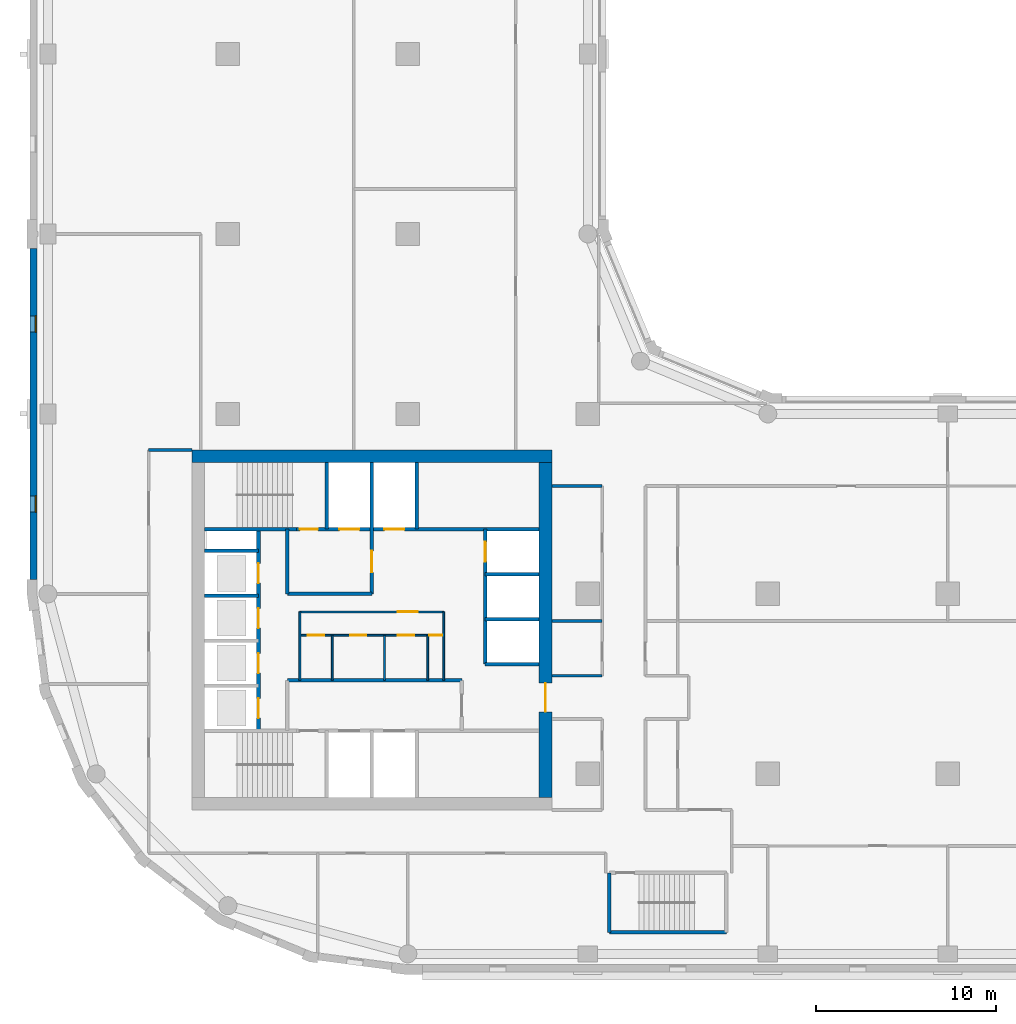
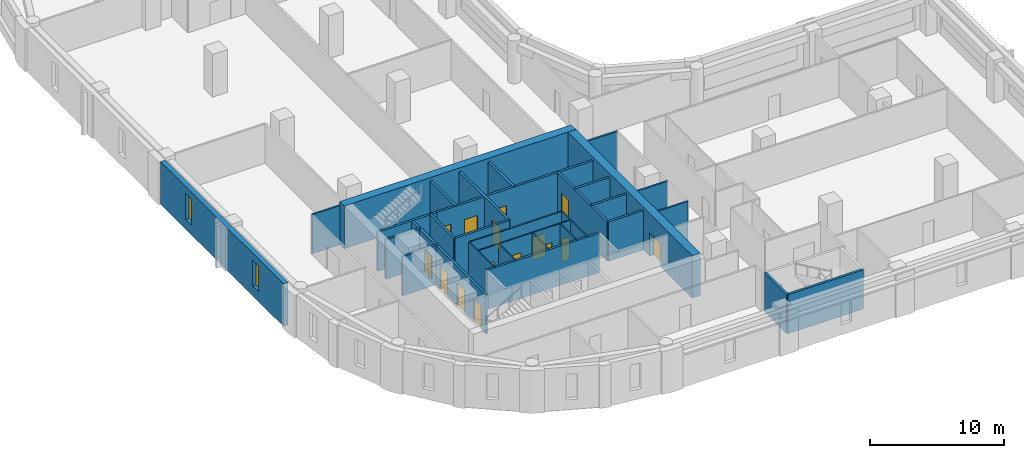
# One storey, part 3 of 9: 31 walls, 15 doors, 2 windows, 17 openings.
"""IFC4 building model written with IfcOpenShell, lengths in metres."""

from ifc_helpers import new_model, si_unit, direction, frame, frame_2d, origin, place, context, subcontext, project, spatial, rectangle, extrude, material, layer, layer_set, type_object, element, fill, save


model = new_model("IFC4")

# Units and contexts
model_context = context("Model", 3, precision=1e-05, world=origin(), true_north=direction((0.0, 1.0)))
body_context = subcontext(model_context, "Body", "Model", "MODEL_VIEW")
ifc_project = project(units=[si_unit("LENGTHUNIT", "METRE"), si_unit("AREAUNIT", "SQUARE_METRE"), si_unit("VOLUMEUNIT", "CUBIC_METRE"), si_unit("PLANEANGLEUNIT", "RADIAN"), si_unit("MASSUNIT", "GRAM", prefix="KILO")], contexts=[model_context])

# Site, building, storey
site_placement = place(None, origin())
site = spatial("IfcSite", under=ifc_project, at=site_placement, CompositionType="ELEMENT")
building_placement = place(site_placement, origin())
building = spatial("IfcBuilding", under=site, at=building_placement, Name="Qaws Garden Tower", CompositionType="ELEMENT")
storey_placement = place(building_placement, frame((0.0, 0.0, 174.60009765625)))
storey = spatial("IfcBuildingStorey", under=building, at=storey_placement, Name="L42", CompositionType="ELEMENT", Elevation=174.60009765625)

# Wall, openings, windows
ifc_material_1 = material(Name="Clay facing brick masonry", Category="masonry")
ifc_layer_1 = layer(ifc_material_1, 0.39990234375)
ifc_layer_set_1 = layer_set([ifc_layer_1], Name="Clay facing brick masonry")
wall_type_1 = type_object("IfcWallType", Name="Brick infill wall 400", PredefinedType="SOLIDWALL", material=ifc_layer_set_1)
wall_1_placement = place(storey_placement, frame((-0.800048828125, 39.199951171875, 0.0), z_axis=(0.0, 0.0, 1.0), x_axis=(0.0, -1.0, 0.0)))
wall_1 = element("IfcWall", 1, at=wall_1_placement, inside=storey, type_object=wall_type_1, Name="E-L42-infill-23", PredefinedType="SOLIDWALL", context=body_context, shape_type="SweptSolid", body=[
    extrude(rectangle(XDim=18.39990234375, YDim=0.39990234375, at=frame_2d((9.199951171875, 0.0))), origin(), (0.0, 0.0, 1.0), 3.89990234375),
])
opening_1_placement = place(wall_1_placement, frame((3.75, 0.0, 0.89990234375)))
opening_1 = element("IfcOpeningElement", 2, at=opening_1_placement, cuts=wall_1, Name="Opening W09", PredefinedType="OPENING", context=body_context, shape_type="SweptSolid", body=[
    extrude(rectangle(XDim=0.89990234375, YDim=2.35009765625, at=frame_2d((0.449951171875, 1.175048828125))), frame((0.0, 0.2099609375, 0.0), z_axis=(0.0, -1.0, 0.0), x_axis=(1.0, 0.0, 0.0)), (0.0, 0.0, 1.0), 0.419921875),
])
opening_2_placement = place(wall_1_placement, frame((13.75, 0.0, 0.89990234375)))
opening_2 = element("IfcOpeningElement", 3, at=opening_2_placement, cuts=wall_1, Name="Opening W09", PredefinedType="OPENING", context=body_context, shape_type="SweptSolid", body=[
    extrude(rectangle(XDim=0.89990234375, YDim=2.35009765625, at=frame_2d((0.449951171875, 1.175048828125))), frame((0.0, 0.2099609375, 0.0), z_axis=(0.0, -1.0, 0.0), x_axis=(1.0, 0.0, 0.0)), (0.0, 0.0, 1.0), 0.419921875),
])
ifc_material_2 = material(Name="Aluminium framed window, clear glazing", Category="aluminium")
window_type = type_object("IfcWindowType", Name="Slit window 900 x 2350", PartitioningType="SINGLE_PANEL", PredefinedType="WINDOW", material=ifc_material_2)
window_1_placement = place(opening_1_placement, origin())
window_1 = element("IfcWindow", 4, at=window_1_placement, inside=storey, type_object=window_type, Name="E-L42-window-23-0", OverallHeight=2.35009765625, OverallWidth=0.89990234375, PartitioningType="SINGLE_PANEL", PredefinedType="WINDOW", context=body_context, shape_type="SweptSolid", body=[
    extrude(rectangle(XDim=0.89990234375, YDim=2.35009765625, at=frame_2d((0.449951171875, 1.175048828125))), frame((0.0, 0.159912109375, 0.0), z_axis=(0.0, -1.0, 0.0), x_axis=(1.0, 0.0, 0.0)), (0.0, 0.0, 1.0), 0.06005859375),
])
fill(opening_1, window_1)
window_2_placement = place(opening_2_placement, origin())
window_2 = element("IfcWindow", 5, at=window_2_placement, inside=storey, type_object=window_type, Name="E-L42-window-24-0", OverallHeight=2.35009765625, OverallWidth=0.89990234375, PartitioningType="SINGLE_PANEL", PredefinedType="WINDOW", context=body_context, shape_type="SweptSolid", body=[
    extrude(rectangle(XDim=0.89990234375, YDim=2.35009765625, at=frame_2d((0.449951171875, 1.175048828125))), frame((0.0, 0.159912109375, 0.0), z_axis=(0.0, -1.0, 0.0), x_axis=(1.0, 0.0, 0.0)), (0.0, 0.0, 1.0), 0.06005859375),
])
fill(opening_2, window_2)

# Wall, openings, doors
ifc_material_3 = material(Name="Plasterboard")
ifc_layer_2 = layer(ifc_material_3, 0.10009765625)
ifc_layer_set_2 = layer_set([ifc_layer_2], Name="Plasterboard")
wall_type_2 = type_object("IfcWallType", Name="Core partition 100", PredefinedType="PARTITIONING", material=ifc_layer_set_2)
wall_2_placement = place(storey_placement, frame((14.0, 17.699951171875, 0.0), z_axis=(0.0, 0.0, 1.0), x_axis=(1.0, 0.0, 0.0)))
wall_2 = element("IfcWall", 6, at=wall_2_placement, inside=storey, type_object=wall_type_2, Name="Core partition", PredefinedType="PARTITIONING", context=body_context, shape_type="SweptSolid", body=[
    extrude(rectangle(XDim=8.0, YDim=0.10009765625, at=frame_2d((4.0, 0.0))), origin(), (0.0, 0.0, 1.0), 3.579833984375),
])
opening_3_placement = place(wall_2_placement, frame((0.449951171875, 0.0, 0.0)))
opening_3 = element("IfcOpeningElement", 7, at=opening_3_placement, cuts=wall_2, Name="Opening WD18", PredefinedType="OPENING", context=body_context, shape_type="SweptSolid", body=[
    extrude(rectangle(XDim=0.89990234375, YDim=2.10009765625, at=frame_2d((0.449951171875, 1.050048828125))), frame((0.0, 0.06005859375, 0.0), z_axis=(0.0, -1.0, 0.0), x_axis=(1.0, 0.0, 0.0)), (0.0, 0.0, 1.0), 0.1201171875),
])
opening_4_placement = place(wall_2_placement, frame((2.800048828125, 0.0, 0.0)))
opening_4 = element("IfcOpeningElement", 8, at=opening_4_placement, cuts=wall_2, Name="Opening WD19", PredefinedType="OPENING", context=body_context, shape_type="SweptSolid", body=[
    extrude(rectangle(XDim=0.89990234375, YDim=2.10009765625, at=frame_2d((0.449951171875, 1.050048828125))), frame((0.0, 0.06005859375, 0.0), z_axis=(0.0, -1.0, 0.0), x_axis=(1.0, 0.0, 0.0)), (0.0, 0.0, 1.0), 0.1201171875),
])
opening_5_placement = place(wall_2_placement, frame((5.449951171875, 0.0, 0.0)))
opening_5 = element("IfcOpeningElement", 9, at=opening_5_placement, cuts=wall_2, Name="Opening WD20", PredefinedType="OPENING", context=body_context, shape_type="SweptSolid", body=[
    extrude(rectangle(XDim=0.89990234375, YDim=2.10009765625, at=frame_2d((0.449951171875, 1.050048828125))), frame((0.0, 0.06005859375, 0.0), z_axis=(0.0, -1.0, 0.0), x_axis=(1.0, 0.0, 0.0)), (0.0, 0.0, 1.0), 0.1201171875),
])
opening_6_placement = place(wall_2_placement, frame((7.199951171875, 0.0, 0.0)))
opening_6 = element("IfcOpeningElement", 10, at=opening_6_placement, cuts=wall_2, Name="Opening XD21", PredefinedType="OPENING", context=body_context, shape_type="SweptSolid", body=[
    extrude(rectangle(XDim=0.699951171875, YDim=2.10009765625, at=frame_2d((0.35009765625, 1.050048828125))), frame((0.0, 0.06005859375, 0.0), z_axis=(0.0, -1.0, 0.0), x_axis=(1.0, 0.0, 0.0)), (0.0, 0.0, 1.0), 0.1201171875),
])
ifc_material_4 = material(Name="Timber", Category="wood")
door_type_1 = type_object("IfcDoorType", Name="Store door 700x2100", OperationType="SINGLE_SWING_LEFT", PredefinedType="DOOR", material=ifc_material_4)
door_1_placement = place(opening_6_placement, frame((0.699951171875, 0.0, 0.0), z_axis=(0.0, 0.0, 1.0), x_axis=(-1.0, 0.0, 0.0)))
door_1 = element("IfcDoor", 11, at=door_1_placement, inside=storey, type_object=door_type_1, Name="Cleaner's store door", OperationType="SINGLE_SWING_LEFT", OverallHeight=2.10009765625, OverallWidth=0.699951171875, PredefinedType="DOOR", context=body_context, shape_type="SweptSolid", body=[
    extrude(rectangle(XDim=0.699951171875, YDim=2.10009765625, at=frame_2d((0.35009765625, 1.050048828125))), frame((0.0, 0.02490234375, 0.0), z_axis=(0.0, -1.0, 0.0), x_axis=(1.0, 0.0, 0.0)), (0.0, 0.0, 1.0), 0.050048828125),
])
fill(opening_6, door_1)
ifc_material_5 = material(Name="Timber", Category="wood")
door_type_2 = type_object("IfcDoorType", Name="WC door 900x2100", OperationType="SINGLE_SWING_LEFT", PredefinedType="DOOR", material=ifc_material_5)
door_2_placement = place(opening_3_placement, frame((0.89990234375, 0.0, 0.0), z_axis=(0.0, 0.0, 1.0), x_axis=(-1.0, 0.0, 0.0)))
door_2 = element("IfcDoor", 12, at=door_2_placement, inside=storey, type_object=door_type_2, Name="Accessible WC door", OperationType="SINGLE_SWING_LEFT", OverallHeight=2.10009765625, OverallWidth=0.89990234375, PredefinedType="DOOR", context=body_context, shape_type="SweptSolid", body=[
    extrude(rectangle(XDim=0.89990234375, YDim=2.10009765625, at=frame_2d((0.449951171875, 1.050048828125))), frame((0.0, 0.02490234375, 0.0), z_axis=(0.0, -1.0, 0.0), x_axis=(1.0, 0.0, 0.0)), (0.0, 0.0, 1.0), 0.050048828125),
])
fill(opening_3, door_2)
door_3_placement = place(opening_4_placement, frame((0.89990234375, 0.0, 0.0), z_axis=(0.0, 0.0, 1.0), x_axis=(-1.0, 0.0, 0.0)))
door_3 = element("IfcDoor", 13, at=door_3_placement, inside=storey, type_object=door_type_2, Name="Women's WC door", OperationType="SINGLE_SWING_LEFT", OverallHeight=2.10009765625, OverallWidth=0.89990234375, PredefinedType="DOOR", context=body_context, shape_type="SweptSolid", body=[
    extrude(rectangle(XDim=0.89990234375, YDim=2.10009765625, at=frame_2d((0.449951171875, 1.050048828125))), frame((0.0, 0.02490234375, 0.0), z_axis=(0.0, -1.0, 0.0), x_axis=(1.0, 0.0, 0.0)), (0.0, 0.0, 1.0), 0.050048828125),
])
fill(opening_4, door_3)
door_4_placement = place(opening_5_placement, frame((0.89990234375, 0.0, 0.0), z_axis=(0.0, 0.0, 1.0), x_axis=(-1.0, 0.0, 0.0)))
door_4 = element("IfcDoor", 14, at=door_4_placement, inside=storey, type_object=door_type_2, Name="Men's WC door", OperationType="SINGLE_SWING_LEFT", OverallHeight=2.10009765625, OverallWidth=0.89990234375, PredefinedType="DOOR", context=body_context, shape_type="SweptSolid", body=[
    extrude(rectangle(XDim=0.89990234375, YDim=2.10009765625, at=frame_2d((0.449951171875, 1.050048828125))), frame((0.0, 0.02490234375, 0.0), z_axis=(0.0, -1.0, 0.0), x_axis=(1.0, 0.0, 0.0)), (0.0, 0.0, 1.0), 0.050048828125),
])
fill(opening_5, door_4)

# Wall, opening, door
wall_3_placement = place(storey_placement, frame((14.0, 19.0, 0.0), z_axis=(0.0, 0.0, 1.0), x_axis=(1.0, 0.0, 0.0)))
wall_3 = element("IfcWall", 15, at=wall_3_placement, inside=storey, type_object=wall_type_2, Name="Core partition", PredefinedType="PARTITIONING", context=body_context, shape_type="SweptSolid", body=[
    extrude(rectangle(XDim=8.0, YDim=0.10009765625, at=frame_2d((4.0, 0.0))), origin(), (0.0, 0.0, 1.0), 3.579833984375),
])
opening_7_placement = place(wall_3_placement, frame((5.449951171875, 0.0, 0.0)))
opening_7 = element("IfcOpeningElement", 16, at=opening_7_placement, cuts=wall_3, Name="Opening WL17", PredefinedType="OPENING", context=body_context, shape_type="SweptSolid", body=[
    extrude(rectangle(XDim=1.10009765625, YDim=2.10009765625, at=frame_2d((0.550048828125, 1.050048828125))), frame((0.0, 0.06005859375, 0.0), z_axis=(0.0, -1.0, 0.0), x_axis=(1.0, 0.0, 0.0)), (0.0, 0.0, 1.0), 0.1201171875),
])
ifc_material_6 = material(Name="Timber", Category="wood")
door_type_3 = type_object("IfcDoorType", Name="WC lobby door 1100x2100", OperationType="SINGLE_SWING_LEFT", PredefinedType="DOOR", material=ifc_material_6)
door_5_placement = place(opening_7_placement, frame((1.10009765625, 0.0, 0.0), z_axis=(0.0, 0.0, 1.0), x_axis=(-1.0, 0.0, 0.0)))
door_5 = element("IfcDoor", 17, at=door_5_placement, inside=storey, type_object=door_type_3, Name="WC lobby door", OperationType="SINGLE_SWING_LEFT", OverallHeight=2.10009765625, OverallWidth=1.10009765625, PredefinedType="DOOR", context=body_context, shape_type="SweptSolid", body=[
    extrude(rectangle(XDim=1.10009765625, YDim=2.10009765625, at=frame_2d((0.550048828125, 1.050048828125))), frame((0.0, 0.02490234375, 0.0), z_axis=(0.0, -1.0, 0.0), x_axis=(1.0, 0.0, 0.0)), (0.0, 0.0, 1.0), 0.050048828125),
])
fill(opening_7, door_5)

# Walls
wall_4_placement = place(storey_placement, frame((14.0, 15.199951171875, 0.0), z_axis=(0.0, 0.0, 1.0), x_axis=(0.0, 1.0, 0.0)))
element("IfcWall", 18, at=wall_4_placement, inside=storey, type_object=wall_type_2, Name="Core partition", PredefinedType="PARTITIONING", context=body_context, shape_type="SweptSolid", body=[
    extrude(rectangle(XDim=3.800048828125, YDim=0.10009765625, at=frame_2d((1.89990234375, 0.0))), origin(), (0.0, 0.0, 1.0), 3.579833984375),
])
for number, where, z_axis, x_axis, name in (
    (19, (15.800048828125, 15.199951171875, 0.0), (0.0, 0.0, 1.0), (0.0, 1.0, 0.0), "Core partition"),
    (20, (18.699951171875, 15.199951171875, 0.0), (0.0, 0.0, 1.0), (0.0, 1.0, 0.0), "Core partition"),
    (21, (21.10009765625, 15.199951171875, 0.0), (0.0, 0.0, 1.0), (0.0, 1.0, 0.0), "Core partition"),
):
    element("IfcWall", number, at=place(storey_placement, frame(where, z_axis=z_axis, x_axis=x_axis)), inside=storey, type_object=wall_type_2, Name=name, PredefinedType="PARTITIONING", context=body_context, shape_type="SweptSolid", body=[
        extrude(rectangle(XDim=2.5, YDim=0.10009765625, at=frame_2d((1.25, 0.0))), origin(), (0.0, 0.0, 1.0), 3.579833984375),
    ])
wall_5_placement = place(storey_placement, frame((22.0, 15.199951171875, 0.0), z_axis=(0.0, 0.0, 1.0), x_axis=(0.0, 1.0, 0.0)))
element("IfcWall", 22, at=wall_5_placement, inside=storey, type_object=wall_type_2, Name="Core partition", PredefinedType="PARTITIONING", context=body_context, shape_type="SweptSolid", body=[
    extrude(rectangle(XDim=3.800048828125, YDim=0.10009765625, at=frame_2d((1.89990234375, 0.0))), origin(), (0.0, 0.0, 1.0), 3.579833984375),
])
ifc_material_7 = material(Name="Concrete C70", Category="concrete")
ifc_layer_3 = layer(ifc_material_7, 0.199951171875)
ifc_layer_set_3 = layer_set([ifc_layer_3], Name="Concrete C70")
wall_type_3 = type_object("IfcWallType", Name="Core shaft wall 200 C70", PredefinedType="SHEAR", material=ifc_layer_set_3)
wall_6_placement = place(storey_placement, frame((31.199951171875, 1.199951171875, 0.0), z_axis=(0.0, 0.0, 1.0), x_axis=(1.0, 0.0, 0.0)))
element("IfcWall", 23, at=wall_6_placement, inside=storey, type_object=wall_type_3, Name="Shaft wall", PredefinedType="SHEAR", context=body_context, shape_type="SweptSolid", body=[
    extrude(rectangle(XDim=6.5, YDim=0.199951171875, at=frame_2d((3.25, 0.0))), origin(), (0.0, 0.0, 1.0), 3.579833984375),
])
wall_7_placement = place(storey_placement, frame((13.300048828125, 15.199951171875, 0.0), z_axis=(0.0, 0.0, 1.0), x_axis=(1.0, 0.0, 0.0)))
element("IfcWall", 24, at=wall_7_placement, inside=storey, type_object=wall_type_3, Name="Shaft wall", PredefinedType="SHEAR", context=body_context, shape_type="SweptSolid", body=[
    extrude(rectangle(XDim=9.699951171875, YDim=0.199951171875, at=frame_2d((4.85009765625, 0.0))), origin(), (0.0, 0.0, 1.0), 3.579833984375),
])
for number, where, z_axis, x_axis, name in (
    (25, (24.300048828125, 16.10009765625, 0.0), (0.0, 0.0, 1.0), (1.0, 0.0, 0.0), "Shaft wall"),
    (26, (24.300048828125, 18.60009765625, 0.0), (0.0, 0.0, 1.0), (1.0, 0.0, 0.0), "Shaft wall"),
    (27, (8.699951171875, 19.89990234375, 0.0), (0.0, 0.0, 1.0), (1.0, 0.0, 0.0), "Shaft wall"),
):
    element("IfcWall", number, at=place(storey_placement, frame(where, z_axis=z_axis, x_axis=x_axis)), inside=storey, type_object=wall_type_3, Name=name, PredefinedType="SHEAR", context=body_context, shape_type="SweptSolid", body=[
        extrude(rectangle(XDim=3.0, YDim=0.199951171875, at=frame_2d((1.5, 0.0))), origin(), (0.0, 0.0, 1.0), 3.579833984375),
    ])
wall_8_placement = place(storey_placement, frame((13.300048828125, 20.0, 0.0), z_axis=(0.0, 0.0, 1.0), x_axis=(1.0, 0.0, 0.0)))
element("IfcWall", 28, at=wall_8_placement, inside=storey, type_object=wall_type_3, Name="Shaft wall", PredefinedType="SHEAR", context=body_context, shape_type="SweptSolid", body=[
    extrude(rectangle(XDim=4.699951171875, YDim=0.199951171875, at=frame_2d((2.35009765625, 0.0))), origin(), (0.0, 0.0, 1.0), 3.579833984375),
])
for number, where, z_axis, x_axis, name in (
    (29, (24.300048828125, 21.10009765625, 0.0), (0.0, 0.0, 1.0), (1.0, 0.0, 0.0), "Shaft wall"),
    (30, (8.699951171875, 22.39990234375, 0.0), (0.0, 0.0, 1.0), (1.0, 0.0, 0.0), "Shaft wall"),
):
    element("IfcWall", number, at=place(storey_placement, frame(where, z_axis=z_axis, x_axis=x_axis)), inside=storey, type_object=wall_type_3, Name=name, PredefinedType="SHEAR", context=body_context, shape_type="SweptSolid", body=[
        extrude(rectangle(XDim=3.0, YDim=0.199951171875, at=frame_2d((1.5, 0.0))), origin(), (0.0, 0.0, 1.0), 3.579833984375),
    ])
wall_9_placement = place(storey_placement, frame((8.699951171875, 23.60009765625, 0.0), z_axis=(0.0, 0.0, 1.0), x_axis=(1.0, 0.0, 0.0)))
element("IfcWall", 31, at=wall_9_placement, inside=storey, type_object=wall_type_3, Name="Shaft wall", PredefinedType="SHEAR", context=body_context, shape_type="SweptSolid", body=[
    extrude(rectangle(XDim=5.10009765625, YDim=0.199951171875, at=frame_2d((2.550048828125, 0.0))), origin(), (0.0, 0.0, 1.0), 3.579833984375),
])

# Wall, openings, doors
wall_10_placement = place(storey_placement, frame((13.800048828125, 23.60009765625, 0.0), z_axis=(0.0, 0.0, 1.0), x_axis=(1.0, 0.0, 0.0)))
wall_10 = element("IfcWall", 32, at=wall_10_placement, inside=storey, type_object=wall_type_3, Name="Shaft wall", PredefinedType="SHEAR", context=body_context, shape_type="SweptSolid", body=[
    extrude(rectangle(XDim=13.5, YDim=0.199951171875, at=frame_2d((6.75, 0.0))), origin(), (0.0, 0.0, 1.0), 3.579833984375),
])
opening_8_placement = place(wall_10_placement, frame((2.39990234375, 0.0, 0.0)))
opening_8 = element("IfcOpeningElement", 33, at=opening_8_placement, cuts=wall_10, Name="Opening LD08", PredefinedType="OPENING", context=body_context, shape_type="SweptSolid", body=[
    extrude(rectangle(XDim=1.10009765625, YDim=2.10009765625, at=frame_2d((0.550048828125, 1.050048828125))), frame((0.0, 0.10986328125, 0.0), z_axis=(0.0, -1.0, 0.0), x_axis=(1.0, 0.0, 0.0)), (0.0, 0.0, 1.0), 0.219970703125),
])
opening_9_placement = place(wall_10_placement, frame((4.89990234375, 0.0, 0.0)))
opening_9 = element("IfcOpeningElement", 34, at=opening_9_placement, cuts=wall_10, Name="Opening LD09", PredefinedType="OPENING", context=body_context, shape_type="SweptSolid", body=[
    extrude(rectangle(XDim=1.10009765625, YDim=2.10009765625, at=frame_2d((0.550048828125, 1.050048828125))), frame((0.0, 0.10986328125, 0.0), z_axis=(0.0, -1.0, 0.0), x_axis=(1.0, 0.0, 0.0)), (0.0, 0.0, 1.0), 0.219970703125),
])
opening_10_placement = place(wall_10_placement, frame((0.199951171875, 0.0, 0.0)))
opening_10 = element("IfcOpeningElement", 35, at=opening_10_placement, cuts=wall_10, Name="Opening SD11", PredefinedType="OPENING", context=body_context, shape_type="SweptSolid", body=[
    extrude(rectangle(XDim=1.0, YDim=2.10009765625, at=frame_2d((0.5, 1.050048828125))), frame((0.0, 0.10986328125, 0.0), z_axis=(0.0, -1.0, 0.0), x_axis=(1.0, 0.0, 0.0)), (0.0, 0.0, 1.0), 0.219970703125),
])
ifc_material_8 = material(Name="Steel S235", Category="steel")
door_type_4 = type_object("IfcDoorType", Name="Landing door 1100x2100", OperationType="DOUBLE_DOOR_SLIDING", PredefinedType="DOOR", material=ifc_material_8)
door_6_placement = place(opening_8_placement, origin())
door_6 = element("IfcDoor", 36, at=door_6_placement, inside=storey, type_object=door_type_4, Name="Lift FF3 landing door", OperationType="DOUBLE_DOOR_SLIDING", OverallHeight=2.10009765625, OverallWidth=1.10009765625, PredefinedType="DOOR", context=body_context, shape_type="SweptSolid", body=[
    extrude(rectangle(XDim=1.10009765625, YDim=2.10009765625, at=frame_2d((0.550048828125, 1.050048828125))), frame((0.0, 0.02490234375, 0.0), z_axis=(0.0, -1.0, 0.0), x_axis=(1.0, 0.0, 0.0)), (0.0, 0.0, 1.0), 0.050048828125),
])
fill(opening_8, door_6)
door_7_placement = place(opening_9_placement, origin())
door_7 = element("IfcDoor", 37, at=door_7_placement, inside=storey, type_object=door_type_4, Name="Lift SV2 landing door", OperationType="DOUBLE_DOOR_SLIDING", OverallHeight=2.10009765625, OverallWidth=1.10009765625, PredefinedType="DOOR", context=body_context, shape_type="SweptSolid", body=[
    extrude(rectangle(XDim=1.10009765625, YDim=2.10009765625, at=frame_2d((0.550048828125, 1.050048828125))), frame((0.0, 0.02490234375, 0.0), z_axis=(0.0, -1.0, 0.0), x_axis=(1.0, 0.0, 0.0)), (0.0, 0.0, 1.0), 0.050048828125),
])
fill(opening_9, door_7)
ifc_material_9 = material(Name="Steel S235", Category="steel")
door_type_5 = type_object("IfcDoorType", Name="Stair door 1000x2100", OperationType="SINGLE_SWING_RIGHT", PredefinedType="DOOR", material=ifc_material_9)
door_8_placement = place(opening_10_placement, origin())
door_8 = element("IfcDoor", 38, at=door_8_placement, inside=storey, type_object=door_type_5, Name="Stair 4 door", OperationType="SINGLE_SWING_RIGHT", OverallHeight=2.10009765625, OverallWidth=1.0, PredefinedType="DOOR", context=body_context, shape_type="SweptSolid", body=[
    extrude(rectangle(XDim=1.0, YDim=2.10009765625, at=frame_2d((0.5, 1.050048828125))), frame((0.0, 0.02490234375, 0.0), z_axis=(0.0, -1.0, 0.0), x_axis=(1.0, 0.0, 0.0)), (0.0, 0.0, 1.0), 0.050048828125),
])
fill(opening_10, door_8)

wall_11_placement = place(storey_placement, frame((11.699951171875, 12.39990234375, 0.0), z_axis=(0.0, 0.0, 1.0), x_axis=(0.0, 1.0, 0.0)))
wall_11 = element("IfcWall", 39, at=wall_11_placement, inside=storey, type_object=wall_type_3, Name="Shaft wall", PredefinedType="SHEAR", context=body_context, shape_type="SweptSolid", body=[
    extrude(rectangle(XDim=11.2001953125, YDim=0.199951171875, at=frame_2d((5.60009765625, 0.0))), origin(), (0.0, 0.0, 1.0), 3.579833984375),
])
opening_11_placement = place(wall_11_placement, frame((0.699951171875, 0.0, 0.0)))
opening_11 = element("IfcOpeningElement", 40, at=opening_11_placement, cuts=wall_11, Name="Opening LD01", PredefinedType="OPENING", context=body_context, shape_type="SweptSolid", body=[
    extrude(rectangle(XDim=1.10009765625, YDim=2.10009765625, at=frame_2d((0.550048828125, 1.050048828125))), frame((0.0, 0.10986328125, 0.0), z_axis=(0.0, -1.0, 0.0), x_axis=(1.0, 0.0, 0.0)), (0.0, 0.0, 1.0), 0.219970703125),
])
opening_12_placement = place(wall_11_placement, frame((3.199951171875, 0.0, 0.0)))
opening_12 = element("IfcOpeningElement", 41, at=opening_12_placement, cuts=wall_11, Name="Opening LD02", PredefinedType="OPENING", context=body_context, shape_type="SweptSolid", body=[
    extrude(rectangle(XDim=1.10009765625, YDim=2.10009765625, at=frame_2d((0.550048828125, 1.050048828125))), frame((0.0, 0.10986328125, 0.0), z_axis=(0.0, -1.0, 0.0), x_axis=(1.0, 0.0, 0.0)), (0.0, 0.0, 1.0), 0.219970703125),
])
opening_13_placement = place(wall_11_placement, frame((5.699951171875, 0.0, 0.0)))
opening_13 = element("IfcOpeningElement", 42, at=opening_13_placement, cuts=wall_11, Name="Opening LD03", PredefinedType="OPENING", context=body_context, shape_type="SweptSolid", body=[
    extrude(rectangle(XDim=1.10009765625, YDim=2.10009765625, at=frame_2d((0.550048828125, 1.050048828125))), frame((0.0, 0.10986328125, 0.0), z_axis=(0.0, -1.0, 0.0), x_axis=(1.0, 0.0, 0.0)), (0.0, 0.0, 1.0), 0.219970703125),
])
opening_14_placement = place(wall_11_placement, frame((8.199951171875, 0.0, 0.0)))
opening_14 = element("IfcOpeningElement", 43, at=opening_14_placement, cuts=wall_11, Name="Opening LD04", PredefinedType="OPENING", context=body_context, shape_type="SweptSolid", body=[
    extrude(rectangle(XDim=1.10009765625, YDim=2.10009765625, at=frame_2d((0.550048828125, 1.050048828125))), frame((0.0, 0.10986328125, 0.0), z_axis=(0.0, -1.0, 0.0), x_axis=(1.0, 0.0, 0.0)), (0.0, 0.0, 1.0), 0.219970703125),
])
door_9_placement = place(opening_11_placement, origin())
door_9 = element("IfcDoor", 44, at=door_9_placement, inside=storey, type_object=door_type_4, Name="Lift W1 landing door", OperationType="DOUBLE_DOOR_SLIDING", OverallHeight=2.10009765625, OverallWidth=1.10009765625, PredefinedType="DOOR", context=body_context, shape_type="SweptSolid", body=[
    extrude(rectangle(XDim=1.10009765625, YDim=2.10009765625, at=frame_2d((0.550048828125, 1.050048828125))), frame((0.0, 0.02490234375, 0.0), z_axis=(0.0, -1.0, 0.0), x_axis=(1.0, 0.0, 0.0)), (0.0, 0.0, 1.0), 0.050048828125),
])
fill(opening_11, door_9)
door_10_placement = place(opening_12_placement, origin())
door_10 = element("IfcDoor", 45, at=door_10_placement, inside=storey, type_object=door_type_4, Name="Lift W2 landing door", OperationType="DOUBLE_DOOR_SLIDING", OverallHeight=2.10009765625, OverallWidth=1.10009765625, PredefinedType="DOOR", context=body_context, shape_type="SweptSolid", body=[
    extrude(rectangle(XDim=1.10009765625, YDim=2.10009765625, at=frame_2d((0.550048828125, 1.050048828125))), frame((0.0, 0.02490234375, 0.0), z_axis=(0.0, -1.0, 0.0), x_axis=(1.0, 0.0, 0.0)), (0.0, 0.0, 1.0), 0.050048828125),
])
fill(opening_12, door_10)
door_11_placement = place(opening_13_placement, origin())
door_11 = element("IfcDoor", 46, at=door_11_placement, inside=storey, type_object=door_type_4, Name="Lift W3 landing door", OperationType="DOUBLE_DOOR_SLIDING", OverallHeight=2.10009765625, OverallWidth=1.10009765625, PredefinedType="DOOR", context=body_context, shape_type="SweptSolid", body=[
    extrude(rectangle(XDim=1.10009765625, YDim=2.10009765625, at=frame_2d((0.550048828125, 1.050048828125))), frame((0.0, 0.02490234375, 0.0), z_axis=(0.0, -1.0, 0.0), x_axis=(1.0, 0.0, 0.0)), (0.0, 0.0, 1.0), 0.050048828125),
])
fill(opening_13, door_11)
door_12_placement = place(opening_14_placement, origin())
door_12 = element("IfcDoor", 47, at=door_12_placement, inside=storey, type_object=door_type_4, Name="Lift W4 landing door", OperationType="DOUBLE_DOOR_SLIDING", OverallHeight=2.10009765625, OverallWidth=1.10009765625, PredefinedType="DOOR", context=body_context, shape_type="SweptSolid", body=[
    extrude(rectangle(XDim=1.10009765625, YDim=2.10009765625, at=frame_2d((0.550048828125, 1.050048828125))), frame((0.0, 0.02490234375, 0.0), z_axis=(0.0, -1.0, 0.0), x_axis=(1.0, 0.0, 0.0)), (0.0, 0.0, 1.0), 0.050048828125),
])
fill(opening_14, door_12)

# Walls
wall_12_placement = place(storey_placement, frame((13.300048828125, 20.0, 0.0), z_axis=(0.0, 0.0, 1.0), x_axis=(0.0, 1.0, 0.0)))
element("IfcWall", 48, at=wall_12_placement, inside=storey, type_object=wall_type_3, Name="Shaft wall", PredefinedType="SHEAR", context=body_context, shape_type="SweptSolid", body=[
    extrude(rectangle(XDim=3.60009765625, YDim=0.199951171875, at=frame_2d((1.800048828125, 0.0))), origin(), (0.0, 0.0, 1.0), 3.579833984375),
])
wall_13_placement = place(storey_placement, frame((15.5, 23.60009765625, 0.0), z_axis=(0.0, 0.0, 1.0), x_axis=(0.0, 1.0, 0.0)))
element("IfcWall", 49, at=wall_13_placement, inside=storey, type_object=wall_type_3, Name="Shaft wall", PredefinedType="SHEAR", context=body_context, shape_type="SweptSolid", body=[
    extrude(rectangle(XDim=3.699951171875, YDim=0.199951171875, at=frame_2d((1.85009765625, 0.0))), origin(), (0.0, 0.0, 1.0), 3.579833984375),
])

# Wall, opening, door
wall_14_placement = place(storey_placement, frame((18.0, 20.0, 0.0), z_axis=(0.0, 0.0, 1.0), x_axis=(0.0, 1.0, 0.0)))
wall_14 = element("IfcWall", 50, at=wall_14_placement, inside=storey, type_object=wall_type_3, Name="Shaft wall", PredefinedType="SHEAR", context=body_context, shape_type="SweptSolid", body=[
    extrude(rectangle(XDim=7.300048828125, YDim=0.199951171875, at=frame_2d((3.64990234375, 0.0))), origin(), (0.0, 0.0, 1.0), 3.579833984375),
])
opening_15_placement = place(wall_14_placement, frame((1.199951171875, 0.0, 0.0)))
opening_15 = element("IfcOpeningElement", 51, at=opening_15_placement, cuts=wall_14, Name="Opening FD16", PredefinedType="OPENING", context=body_context, shape_type="SweptSolid", body=[
    extrude(rectangle(XDim=1.199951171875, YDim=2.10009765625, at=frame_2d((0.60009765625, 1.050048828125))), frame((0.0, 0.10986328125, 0.0), z_axis=(0.0, -1.0, 0.0), x_axis=(1.0, 0.0, 0.0)), (0.0, 0.0, 1.0), 0.219970703125),
])
ifc_material_10 = material(Name="Steel S235", Category="steel")
door_type_6 = type_object("IfcDoorType", Name="Lobby door 1200x2100", OperationType="DOUBLE_DOOR_SINGLE_SWING", PredefinedType="DOOR", material=ifc_material_10)
door_13_placement = place(opening_15_placement, origin())
door_13 = element("IfcDoor", 52, at=door_13_placement, inside=storey, type_object=door_type_6, Name="Fire-fighting lobby door", OperationType="DOUBLE_DOOR_SINGLE_SWING", OverallHeight=2.10009765625, OverallWidth=1.199951171875, PredefinedType="DOOR", context=body_context, shape_type="SweptSolid", body=[
    extrude(rectangle(XDim=1.199951171875, YDim=2.10009765625, at=frame_2d((0.60009765625, 1.050048828125))), frame((0.0, 0.02490234375, 0.0), z_axis=(0.0, -1.0, 0.0), x_axis=(1.0, 0.0, 0.0)), (0.0, 0.0, 1.0), 0.050048828125),
])
fill(opening_15, door_13)

# Wall
wall_15_placement = place(storey_placement, frame((20.5, 23.60009765625, 0.0), z_axis=(0.0, 0.0, 1.0), x_axis=(0.0, 1.0, 0.0)))
element("IfcWall", 53, at=wall_15_placement, inside=storey, type_object=wall_type_3, Name="Shaft wall", PredefinedType="SHEAR", context=body_context, shape_type="SweptSolid", body=[
    extrude(rectangle(XDim=3.699951171875, YDim=0.199951171875, at=frame_2d((1.85009765625, 0.0))), origin(), (0.0, 0.0, 1.0), 3.579833984375),
])

# Wall, opening, door
wall_16_placement = place(storey_placement, frame((24.300048828125, 16.10009765625, 0.0), z_axis=(0.0, 0.0, 1.0), x_axis=(0.0, 1.0, 0.0)))
wall_16 = element("IfcWall", 54, at=wall_16_placement, inside=storey, type_object=wall_type_3, Name="Shaft wall", PredefinedType="SHEAR", context=body_context, shape_type="SweptSolid", body=[
    extrude(rectangle(XDim=7.5, YDim=0.199951171875, at=frame_2d((3.75, 0.0))), origin(), (0.0, 0.0, 1.0), 3.579833984375),
])
opening_16_placement = place(wall_16_placement, frame((5.699951171875, 0.0, 0.0)))
opening_16 = element("IfcOpeningElement", 55, at=opening_16_placement, cuts=wall_16, Name="Opening LD05", PredefinedType="OPENING", context=body_context, shape_type="SweptSolid", body=[
    extrude(rectangle(XDim=1.10009765625, YDim=2.10009765625, at=frame_2d((0.550048828125, 1.050048828125))), frame((0.0, 0.10986328125, 0.0), z_axis=(0.0, -1.0, 0.0), x_axis=(1.0, 0.0, 0.0)), (0.0, 0.0, 1.0), 0.219970703125),
])
door_14_placement = place(opening_16_placement, origin())
door_14 = element("IfcDoor", 56, at=door_14_placement, inside=storey, type_object=door_type_4, Name="Lift E3 landing door", OperationType="DOUBLE_DOOR_SLIDING", OverallHeight=2.10009765625, OverallWidth=1.10009765625, PredefinedType="DOOR", context=body_context, shape_type="SweptSolid", body=[
    extrude(rectangle(XDim=1.10009765625, YDim=2.10009765625, at=frame_2d((0.550048828125, 1.050048828125))), frame((0.0, 0.02490234375, 0.0), z_axis=(0.0, -1.0, 0.0), x_axis=(1.0, 0.0, 0.0)), (0.0, 0.0, 1.0), 0.050048828125),
])
fill(opening_16, door_14)

# Wall
wall_17_placement = place(storey_placement, frame((31.199951171875, 1.199951171875, 0.0), z_axis=(0.0, 0.0, 1.0), x_axis=(0.0, 1.0, 0.0)))
element("IfcWall", 57, at=wall_17_placement, inside=storey, type_object=wall_type_3, Name="Shaft wall", PredefinedType="SHEAR", context=body_context, shape_type="SweptSolid", body=[
    extrude(rectangle(XDim=3.300048828125, YDim=0.199951171875, at=frame_2d((1.64990234375, 0.0))), origin(), (0.0, 0.0, 1.0), 3.579833984375),
])

# Wall, opening, door
ifc_material_11 = material(Name="Concrete C70", Category="concrete")
ifc_layer_4 = layer(ifc_material_11, 0.699951171875)
ifc_layer_set_4 = layer_set([ifc_layer_4], Name="Concrete C70")
wall_type_4 = type_object("IfcWallType", Name="Core wall 700 C70", PredefinedType="SHEAR", material=ifc_layer_set_4)
wall_18_placement = place(storey_placement, frame((27.64990234375, 8.699951171875, 0.0), z_axis=(0.0, 0.0, 1.0), x_axis=(0.0, 1.0, 0.0)))
wall_18 = element("IfcWall", 58, at=wall_18_placement, inside=storey, type_object=wall_type_4, Name="Core wall L42 east", PredefinedType="SHEAR", context=body_context, shape_type="SweptSolid", body=[
    extrude(rectangle(XDim=18.60009765625, YDim=0.699951171875, at=frame_2d((9.300048828125, 0.0))), origin(), (0.0, 0.0, 1.0), 3.89990234375),
])
opening_17_placement = place(wall_18_placement, frame((4.75, 0.0, 0.0)))
opening_17 = element("IfcOpeningElement", 59, at=opening_17_placement, cuts=wall_18, Name="Opening ED22", PredefinedType="OPENING", context=body_context, shape_type="SweptSolid", body=[
    extrude(rectangle(XDim=1.60009765625, YDim=2.10009765625, at=frame_2d((0.800048828125, 1.050048828125))), frame((0.0, 0.35986328125, 0.0), z_axis=(0.0, -1.0, 0.0), x_axis=(1.0, 0.0, 0.0)), (0.0, 0.0, 1.0), 0.719970703125),
])
ifc_material_12 = material(Name="Steel S235", Category="steel")
door_type_7 = type_object("IfcDoorType", Name="Core entrance door 1600x2100", OperationType="DOUBLE_DOOR_SINGLE_SWING", PredefinedType="DOOR", material=ifc_material_12)
door_15_placement = place(opening_17_placement, origin())
door_15 = element("IfcDoor", 60, at=door_15_placement, inside=storey, type_object=door_type_7, Name="Core entrance door", OperationType="DOUBLE_DOOR_SINGLE_SWING", OverallHeight=2.10009765625, OverallWidth=1.60009765625, PredefinedType="DOOR", context=body_context, shape_type="SweptSolid", body=[
    extrude(rectangle(XDim=1.60009765625, YDim=2.10009765625, at=frame_2d((0.800048828125, 1.050048828125))), frame((0.0, 0.02490234375, 0.0), z_axis=(0.0, -1.0, 0.0), x_axis=(1.0, 0.0, 0.0)), (0.0, 0.0, 1.0), 0.050048828125),
])
fill(opening_17, door_15)

# Walls
wall_19_placement = place(storey_placement, frame((28.0, 27.64990234375, 0.0), z_axis=(0.0, 0.0, 1.0), x_axis=(-1.0, 0.0, 0.0)))
element("IfcWall", 61, at=wall_19_placement, inside=storey, type_object=wall_type_4, Name="Core wall L42 north", PredefinedType="SHEAR", context=body_context, shape_type="SweptSolid", body=[
    extrude(rectangle(XDim=20.0, YDim=0.699951171875, at=frame_2d((10.0, 0.0))), origin(), (0.0, 0.0, 1.0), 3.89990234375),
])
ifc_material_13 = material(Name="Gypsum board partition")
ifc_layer_5 = layer(ifc_material_13, 0.14990234375)
ifc_layer_set_5 = layer_set([ifc_layer_5], Name="Gypsum board partition")
wall_type_5 = type_object("IfcWallType", Name="PARTITION 150 EI 60", PredefinedType="PARTITIONING", material=ifc_layer_set_5)
for number, where, z_axis, x_axis, name in (
    (62, (28.0, 15.449951171875, 0.0), (0.0, 0.0, 1.0), (1.0, 0.0, 0.0), "O-L42-wall-037"),
    (63, (28.0, 18.5, 0.0), (0.0, 0.0, 1.0), (1.0, 0.0, 0.0), "O-L42-wall-039"),
    (64, (28.0, 26.0, 0.0), (0.0, 0.0, 1.0), (1.0, 0.0, 0.0), "O-L42-wall-042"),
):
    element("IfcWall", number, at=place(storey_placement, frame(where, z_axis=z_axis, x_axis=x_axis)), inside=storey, type_object=wall_type_5, Name=name, PredefinedType="PARTITIONING", context=body_context, shape_type="SweptSolid", body=[
        extrude(rectangle(XDim=2.800048828125, YDim=0.14990234375, at=frame_2d((1.39990234375, 0.0))), origin(), (0.0, 0.0, 1.0), 3.579833984375),
    ])
wall_20_placement = place(storey_placement, frame((5.60009765625, 28.0, 0.0), z_axis=(0.0, 0.0, 1.0), x_axis=(1.0, 0.0, 0.0)))
element("IfcWall", 65, at=wall_20_placement, inside=storey, type_object=wall_type_5, Name="O-L42-wall-044", PredefinedType="PARTITIONING", context=body_context, shape_type="SweptSolid", body=[
    extrude(rectangle(XDim=2.39990234375, YDim=0.14990234375, at=frame_2d((1.199951171875, 0.0))), origin(), (0.0, 0.0, 1.0), 3.579833984375),
])

save(model, "model.ifc")
